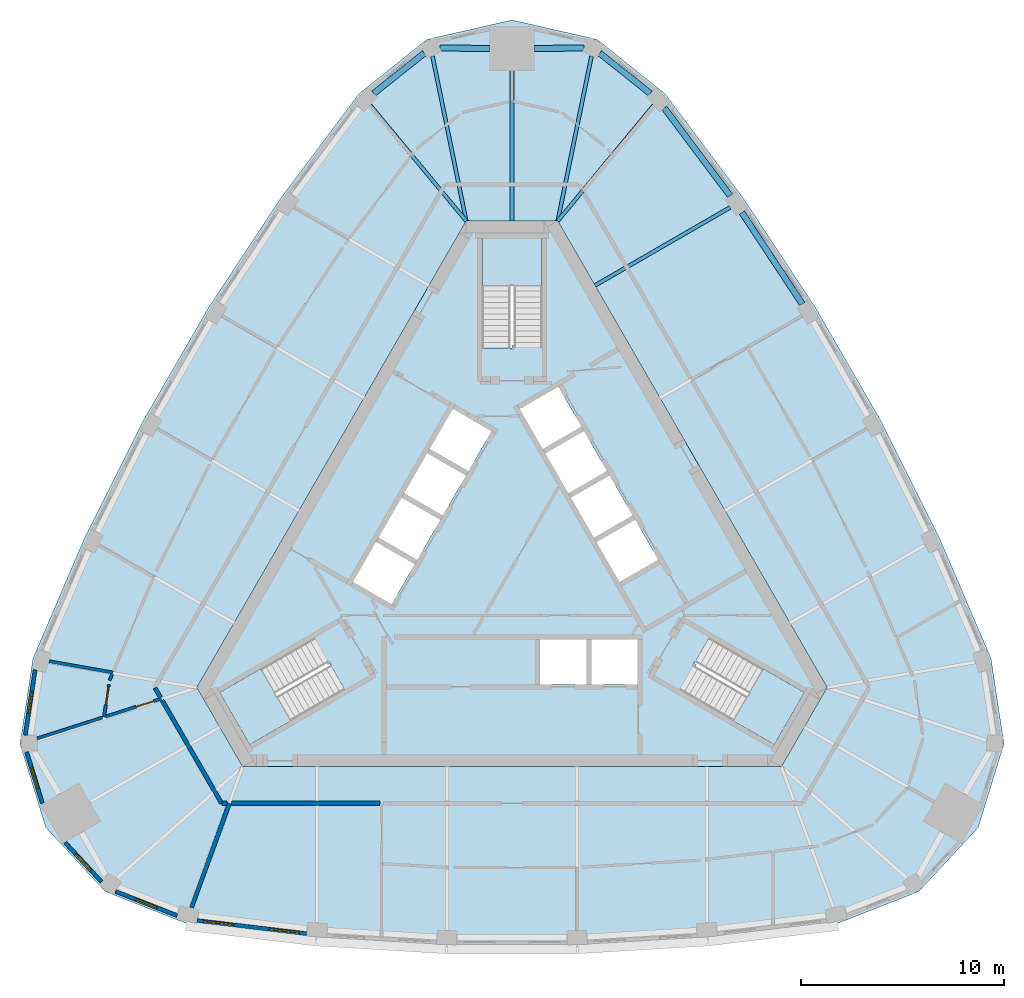
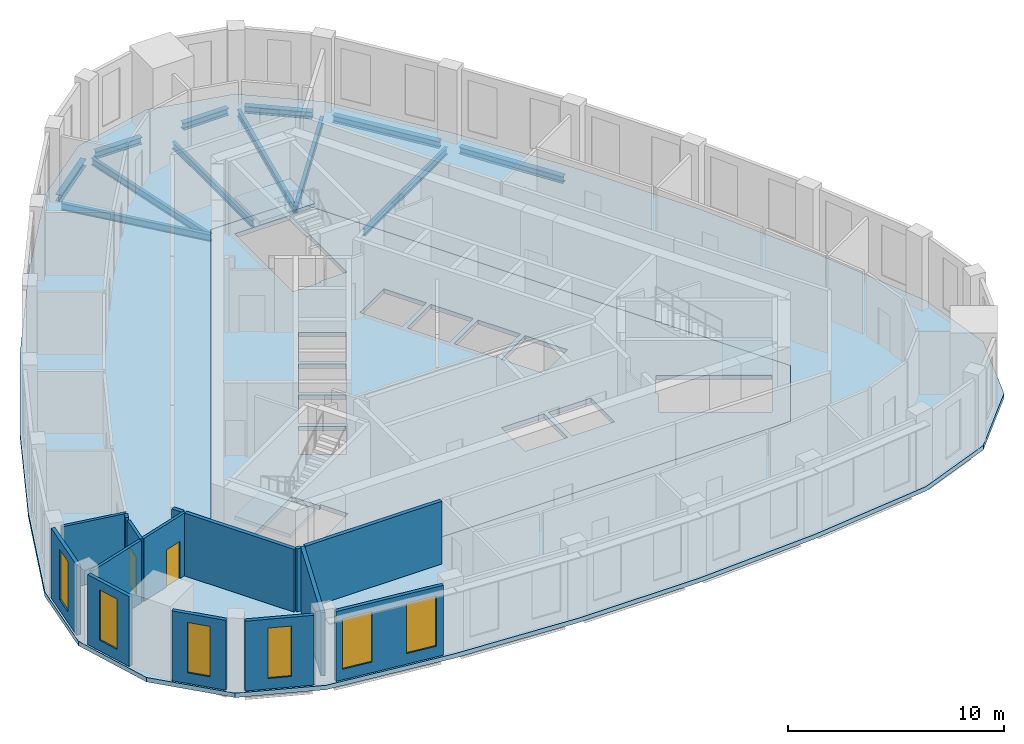
# One storey, part 2 of 10: 15 walls, 12 beams, 6 windows, 5 slabs, 2 doors, 8 openings, 3 elements without a shape of their own.
"""IFC4 building model written with IfcOpenShell, lengths in metres."""

from ifc_helpers import new_model, si_unit, direction, frame, frame_2d, origin, origin_2d, place, context, subcontext, project, spatial, polyline, rectangle, i_section, outline, extrude, material, layer, layer_set, material_profile, profile_set, type_object, element, fill, aggregate, save


model = new_model("IFC4")

# Units and contexts
model_context = context("Model", 3, precision=1e-05, world=origin(), true_north=direction((0.0, 1.0)))
body_context = subcontext(model_context, "Body", "Model", "MODEL_VIEW")
ifc_project = project(units=[si_unit("LENGTHUNIT", "METRE"), si_unit("AREAUNIT", "SQUARE_METRE"), si_unit("VOLUMEUNIT", "CUBIC_METRE"), si_unit("PLANEANGLEUNIT", "RADIAN"), si_unit("MASSUNIT", "GRAM", prefix="KILO")], contexts=[model_context])

# Site, building, storey
site_placement = place(None, origin())
site = spatial("IfcSite", under=ifc_project, at=site_placement, CompositionType="ELEMENT")
building_placement = place(site_placement, origin())
building = spatial("IfcBuilding", under=site, at=building_placement, Name="Mestral Congress Tower", CompositionType="ELEMENT")
storey_placement = place(building_placement, frame((0.0, 0.0, 288.0)))
storey = spatial("IfcBuildingStorey", under=building, at=storey_placement, Name="L67", CompositionType="ELEMENT", Elevation=288.0)

# Beams
ifc_material_1 = material(Name="Steel S355", Category="steel")
ifc_material_profile_1 = material_profile(ifc_material_1, i_section(OverallWidth=0.179931640625, OverallDepth=0.39990234375, WebThickness=0.008544921875, FlangeThickness=0.013427734375, FilletRadius=0.02099609375, at=origin_2d()), Name="IPE 400")
ifc_profile_set_1 = profile_set([ifc_material_profile_1], Name="Steel S355")
beam_type_1 = type_object("IfcBeamType", Name="Floor beam IPE 400 S355", PredefinedType="BEAM", material=ifc_profile_set_1)
beam_1_placement = place(storey_placement, frame((10.7275390625, 17.263916015625, -0.449951171875), z_axis=(-0.866019720907, -0.500009842903, 0.0), x_axis=(0.500009842903, -0.866019720907, 0.0)))
element("IfcBeam", 1, at=beam_1_placement, inside=storey, type_object=beam_type_1, Name="BM-L67-RB5-E04", PredefinedType="BEAM", context=body_context, shape_type="SweptSolid", body=[
    extrude(i_section(OverallWidth=0.179931640625, OverallDepth=0.39990234375, WebThickness=0.008544921875, FlangeThickness=0.013427734375, FilletRadius=0.02099609375, at=origin_2d()), origin(), (0.0, 0.0, 1.0), 7.672119140625),
])
beam_2_placement = place(storey_placement, frame((6.969970703125, 22.2890625, -0.449951171875), z_axis=(-0.638382651591, -0.769719163168, 0.0), x_axis=(0.769719163168, -0.638382651591, 0.0)))
element("IfcBeam", 2, at=beam_2_placement, inside=storey, type_object=beam_type_1, Name="BM-L67-RB5-E05", PredefinedType="BEAM", context=body_context, shape_type="SweptSolid", body=[
    extrude(i_section(OverallWidth=0.179931640625, OverallDepth=0.39990234375, WebThickness=0.008544921875, FlangeThickness=0.013427734375, FilletRadius=0.02099609375, at=origin_2d()), origin(), (0.0, 0.0, 1.0), 7.390869140625),
])
beam_3_placement = place(storey_placement, frame((3.910888671875, 24.7119140625, -0.449951171875), z_axis=(-0.200389803804, -0.979716247967, 0.0), x_axis=(0.979716247967, -0.200389803804, 0.0)))
element("IfcBeam", 3, at=beam_3_placement, inside=storey, type_object=beam_type_1, Name="BM-L67-RB5-N1", PredefinedType="BEAM", context=body_context, shape_type="SweptSolid", body=[
    extrude(i_section(OverallWidth=0.179931640625, OverallDepth=0.39990234375, WebThickness=0.008544921875, FlangeThickness=0.013427734375, FilletRadius=0.02099609375, at=origin_2d()), origin(), (0.0, 0.0, 1.0), 8.27978515625),
])
beam_4_placement = place(storey_placement, frame((0.0, 23.97802734375, -0.449951171875), z_axis=(0.0, -1.0, 0.0), x_axis=(1.0, 0.0, 0.0)))
element("IfcBeam", 4, at=beam_4_placement, inside=storey, type_object=beam_type_1, Name="BM-L67-RB5-N", PredefinedType="BEAM", context=body_context, shape_type="SweptSolid", body=[
    extrude(i_section(OverallWidth=0.179931640625, OverallDepth=0.39990234375, WebThickness=0.008544921875, FlangeThickness=0.013427734375, FilletRadius=0.02099609375, at=origin_2d()), origin(), (0.0, 0.0, 1.0), 7.3779296875),
])
beam_5_placement = place(storey_placement, frame((-3.910888671875, 24.7119140625, -0.449951171875), z_axis=(0.200389803804, -0.979716247967, 0.0), x_axis=(0.979716247967, 0.200389803804, 0.0)))
element("IfcBeam", 5, at=beam_5_placement, inside=storey, type_object=beam_type_1, Name="BM-L67-RB5-N3", PredefinedType="BEAM", context=body_context, shape_type="SweptSolid", body=[
    extrude(i_section(OverallWidth=0.179931640625, OverallDepth=0.39990234375, WebThickness=0.008544921875, FlangeThickness=0.013427734375, FilletRadius=0.02099609375, at=origin_2d()), origin(), (0.0, 0.0, 1.0), 8.27978515625),
])
beam_6_placement = place(storey_placement, frame((-6.969970703125, 22.2890625, -0.449951171875), z_axis=(0.638382651591, -0.769719163168, 0.0), x_axis=(0.769719163168, 0.638382651591, 0.0)))
element("IfcBeam", 6, at=beam_6_placement, inside=storey, type_object=beam_type_1, Name="BM-L67-RB5-W00", PredefinedType="BEAM", context=body_context, shape_type="SweptSolid", body=[
    extrude(i_section(OverallWidth=0.179931640625, OverallDepth=0.39990234375, WebThickness=0.008544921875, FlangeThickness=0.013427734375, FilletRadius=0.02099609375, at=origin_2d()), origin(), (0.0, 0.0, 1.0), 7.390869140625),
])
ifc_material_profile_2 = material_profile(ifc_material_1, i_section(OverallWidth=0.300048828125, OverallDepth=0.389892578125, WebThickness=0.010986328125, FlangeThickness=0.01904296875, FilletRadius=0.027099609375, at=origin_2d()), Name="HEA 400")
ifc_profile_set_2 = profile_set([ifc_material_profile_2], Name="Steel S355")
beam_type_2 = type_object("IfcBeamType", Name="Spandrel beam HEA 400 S355", PredefinedType="BEAM", material=ifc_profile_set_2)
beam_7_placement = place(storey_placement, frame((14.280517578125, 12.51611328125, -0.445068359375), z_axis=(-0.550748957655, 0.83467094453, 0.0), x_axis=(-0.83467094453, -0.550748957655, 0.0)))
element("IfcBeam", 7, at=beam_7_placement, inside=storey, type_object=beam_type_2, Name="SP-L67-SB5-E03", PredefinedType="BEAM", context=body_context, shape_type="SweptSolid", body=[
    extrude(i_section(OverallWidth=0.300048828125, OverallDepth=0.389892578125, WebThickness=0.010986328125, FlangeThickness=0.01904296875, FilletRadius=0.027099609375, at=origin_2d()), origin(), (0.0, 0.0, 1.0), 5.3984375),
])
beam_8_placement = place(storey_placement, frame((10.73193359375, 17.83984375, -0.445068359375), z_axis=(-0.599529393236, 0.800352738888, 0.0), x_axis=(-0.800352738888, -0.599529393236, 0.0)))
element("IfcBeam", 8, at=beam_8_placement, inside=storey, type_object=beam_type_2, Name="SP-L67-SB5-E04", PredefinedType="BEAM", context=body_context, shape_type="SweptSolid", body=[
    extrude(i_section(OverallWidth=0.300048828125, OverallDepth=0.389892578125, WebThickness=0.010986328125, FlangeThickness=0.01904296875, FilletRadius=0.027099609375, at=origin_2d()), origin(), (0.0, 0.0, 1.0), 5.396484375),
])
beam_9_placement = place(storey_placement, frame((6.7998046875, 22.876708984375, -0.445068359375), z_axis=(-0.781647188603, 0.623720829016, 0.0), x_axis=(-0.623720829016, -0.781647188603, 0.0)))
element("IfcBeam", 9, at=beam_9_placement, inside=storey, type_object=beam_type_2, Name="SP-L67-SB5-E05", PredefinedType="BEAM", context=body_context, shape_type="SweptSolid", body=[
    extrude(i_section(OverallWidth=0.300048828125, OverallDepth=0.389892578125, WebThickness=0.010986328125, FlangeThickness=0.01904296875, FilletRadius=0.027099609375, at=origin_2d()), origin(), (0.0, 0.0, 1.0), 3.179931640625),
])
for number, where, z_axis, x_axis, name in (
    (10, (3.54736328125, 25.11181640625, -0.445068359375), (-0.999955093848, -0.009476829002, 0.0), (0.009476829002, -0.999955093848, 0.0), "SP-L67-SB5-N1"),
    (11, (-1.10009765625, 25.088623046875, -0.445068359375), (-0.999955093848, 0.009476829002, 0.0), (-0.009476829002, -0.999955093848, 0.0), "SP-L67-SB5-N"),
):
    element("IfcBeam", number, at=place(storey_placement, frame(where, z_axis=z_axis, x_axis=x_axis)), inside=storey, type_object=beam_type_2, Name=name, PredefinedType="BEAM", context=body_context, shape_type="SweptSolid", body=[
        extrude(i_section(OverallWidth=0.300048828125, OverallDepth=0.389892578125, WebThickness=0.010986328125, FlangeThickness=0.01904296875, FilletRadius=0.027099609375, at=origin_2d()), origin(), (0.0, 0.0, 1.0), 2.447265625),
    ])
beam_10_placement = place(storey_placement, frame((-4.314208984375, 24.860107421875, -0.445068359375), z_axis=(-0.781647188603, -0.623720829016, 0.0), x_axis=(0.623720829016, -0.781647188603, 0.0)))
element("IfcBeam", 12, at=beam_10_placement, inside=storey, type_object=beam_type_2, Name="SP-L67-SB5-N3", PredefinedType="BEAM", context=body_context, shape_type="SweptSolid", body=[
    extrude(i_section(OverallWidth=0.300048828125, OverallDepth=0.389892578125, WebThickness=0.010986328125, FlangeThickness=0.01904296875, FilletRadius=0.027099609375, at=origin_2d()), origin(), (0.0, 0.0, 1.0), 3.179931640625),
])

# Slabs
ifc_material_2 = material(Name="Concrete C35/45", Category="concrete")
ifc_layer_1 = layer(ifc_material_2, 0.25)
ifc_layer_set_1 = layer_set([ifc_layer_1], Name="Concrete C35/45")
slab_type_1 = type_object("IfcSlabType", Name="Composite floor slab 250", PredefinedType="FLOOR", material=ifc_layer_set_1)
placement_1 = place(storey_placement, frame((0.0, 0.0, -0.25)))
element("IfcSlab", 13, at=placement_1, inside=storey, type_object=slab_type_1, Name="SL-L67", PredefinedType="FLOOR", context=body_context, shape_type="SweptSolid", body=[
    extrude(outline(polyline([(-16.051513671875, -17.951904296875), (-20.014404296875, -16.39794921875), (-22.940673828125, -13.244873046875), (-24.208251953125, -9.1337890625), (-23.572509765625, -4.925048828125), (-21.027587890625, 1.0234375), (-18.152099609375, 6.77001953125), (-14.939208984375, 12.335205078125), (-11.400146484375, 17.698486328125), (-7.52099609375, 22.876953125), (-4.19384765625, 25.531982421875), (0.0, 26.48974609375), (4.19384765625, 25.531982421875), (7.52099609375, 22.876953125), (11.400146484375, 17.698486328125), (14.939208984375, 12.335205078125), (18.152099609375, 6.77001953125), (21.027587890625, 1.0234375), (23.572509765625, -4.925048828125), (24.208251953125, -9.1337890625), (22.940673828125, -13.244873046875), (20.014404296875, -16.39794921875), (16.051513671875, -17.951904296875), (9.62744140625, -18.72216796875), (3.212890625, -19.105224609375), (-3.212890625, -19.105224609375), (-9.62744140625, -18.72216796875), (-16.051513671875, -17.951904296875)]), holes=[polyline([(-2.251708984375, 16.60009765625), (-15.501953125, -6.35009765625), (-13.250244140625, -10.25), (13.250244140625, -10.25), (15.501953125, -6.35009765625), (2.251708984375, 16.60009765625), (-2.251708984375, 16.60009765625)])]), origin(), (0.0, 0.0, 1.0), 0.25),
])
ifc_material_3 = material(Name="Concrete C60/75", Category="concrete")
ifc_layer_2 = layer(ifc_material_3, 0.25)
ifc_layer_set_2 = layer_set([ifc_layer_2], Name="Concrete C60/75")
slab_type_2 = type_object("IfcSlabType", Name="Core floor slab RC 250", PredefinedType="FLOOR", material=ifc_layer_set_2)
element("IfcSlab", 14, at=placement_1, inside=storey, type_object=slab_type_2, Name="L67 core floor", PredefinedType="FLOOR", context=body_context, shape_type="SweptSolid", body=[
    extrude(outline(polyline([(13.250244140625, -10.25), (-13.250244140625, -10.25), (-15.501953125, -6.35009765625), (-2.251708984375, 16.60009765625), (2.251708984375, 16.60009765625), (15.501953125, -6.35009765625), (13.250244140625, -10.25)]), holes=[polyline([(-14.37744140625, -6.59765625), (-12.90234375, -9.15234375), (-8.234619140625, -6.45751953125), (-8.971923828125, -5.179931640625), (-9.0673828125, -5.235107421875), (-9.8046875, -3.95751953125), (-14.37744140625, -6.59765625)]), polyline([(-5.921630859375, -2.256591796875), (-4.78662109375, -0.29052734375), (-6.69189453125, 0.809326171875), (-7.826904296875, -1.156494140625), (-5.921630859375, -2.256591796875)]), polyline([(-4.66162109375, -0.07421875), (-3.526611328125, 1.8916015625), (-5.431884765625, 2.99169921875), (-6.56689453125, 1.02587890625), (-4.66162109375, -0.07421875)]), polyline([(-2.2666015625, 4.07421875), (-4.171875, 5.174072265625), (-5.306884765625, 3.208251953125), (-3.401611328125, 2.1083984375), (-2.2666015625, 4.07421875)]), polyline([(-2.1416015625, 4.29052734375), (-1.006591796875, 6.256591796875), (-2.911865234375, 7.3564453125), (-4.046875, 5.390625), (-2.1416015625, 4.29052734375)]), polyline([(0.376708984375, 7.34765625), (1.51171875, 5.3818359375), (3.4169921875, 6.481689453125), (2.281982421875, 8.44775390625), (0.376708984375, 7.34765625)]), polyline([(1.47509765625, 15.75), (-1.47509765625, 15.75), (-1.47509765625, 10.360107421875), (0.0, 10.360107421875), (0.0, 10.469970703125), (1.47509765625, 10.469970703125), (1.47509765625, 15.75)]), polyline([(8.329833984375, -6.512451171875), (12.90234375, -9.15234375), (14.37744140625, -6.59765625), (9.70947265625, -3.902587890625), (8.971923828125, -5.179931640625), (9.0673828125, -5.235107421875), (8.329833984375, -6.512451171875)]), polyline([(3.655029296875, -4.0), (1.385009765625, -4.0), (1.385009765625, -6.199951171875), (3.655029296875, -6.199951171875), (3.655029296875, -4.0)]), polyline([(6.175048828125, -4.0), (3.905029296875, -4.0), (3.905029296875, -6.199951171875), (6.175048828125, -6.199951171875), (6.175048828125, -4.0)]), polyline([(4.156494140625, 0.800537109375), (5.29150390625, -1.165283203125), (7.197021484375, -0.065185546875), (6.06201171875, 1.900634765625), (4.156494140625, 0.800537109375)]), polyline([(2.896484375, 2.98291015625), (4.031494140625, 1.01708984375), (5.93701171875, 2.1171875), (4.802001953125, 4.0830078125), (2.896484375, 2.98291015625)]), polyline([(1.63671875, 5.165283203125), (2.771484375, 3.199462890625), (4.677001953125, 4.29931640625), (3.5419921875, 6.265380859375), (1.63671875, 5.165283203125)])]), origin(), (0.0, 0.0, 1.0), 0.25),
])

# Stair, slab
stair_type = type_object("IfcStairType", Name="Exit stair 1400", PredefinedType="HALF_TURN_STAIR", material=ifc_material_3)
placement_2 = place(storey_placement, origin())
stair_1 = element("IfcStair", 15, at=placement_2, inside=storey, type_object=stair_type, Name="L67 ST1", PredefinedType="HALF_TURN_STAIR")
ifc_layer_3 = layer(ifc_material_3, 0.199951171875)
ifc_layer_set_3 = layer_set([ifc_layer_3], Name="Concrete C60/75")
slab_type_3 = type_object("IfcSlabType", Name="Exit stair landing 200", PredefinedType="LANDING", material=ifc_layer_set_3)
placement_3 = place(storey_placement, frame((0.0, 0.0, 1.89990234375)))
slab_3 = element("IfcSlab", 16, at=placement_3, type_object=slab_type_3, Name="ST1 landing 1", PredefinedType="LANDING", context=body_context, shape_type="SweptSolid", body=[
    extrude(outline(polyline([(10.879638671875, -7.99609375), (12.364501953125, -5.424072265625), (14.39111328125, -6.593994140625), (12.906005859375, -9.166015625), (10.879638671875, -7.99609375)])), origin(), (0.0, 0.0, 1.0), 0.2001953125),
])
aggregate(stair_1, [slab_3])

stair_2 = element("IfcStair", 17, at=placement_2, inside=storey, type_object=stair_type, Name="L67 ST2", PredefinedType="HALF_TURN_STAIR")
slab_4 = element("IfcSlab", 18, at=placement_3, type_object=slab_type_3, Name="ST2 landing 1", PredefinedType="LANDING", context=body_context, shape_type="SweptSolid", body=[
    extrude(outline(polyline([(1.485107421875, 13.419921875), (-1.485107421875, 13.419921875), (-1.485107421875, 15.760009765625), (1.485107421875, 15.760009765625), (1.485107421875, 13.419921875)])), origin(), (0.0, 0.0, 1.0), 0.2001953125),
])
aggregate(stair_2, [slab_4])

stair_3 = element("IfcStair", 19, at=placement_2, inside=storey, type_object=stair_type, Name="L67 ST3", PredefinedType="HALF_TURN_STAIR")
slab_5 = element("IfcSlab", 20, at=placement_3, type_object=slab_type_3, Name="ST3 landing 1", PredefinedType="LANDING", context=body_context, shape_type="SweptSolid", body=[
    extrude(outline(polyline([(-12.364501953125, -5.424072265625), (-10.879638671875, -7.99609375), (-12.906005859375, -9.166015625), (-14.39111328125, -6.593994140625), (-12.364501953125, -5.424072265625)])), origin(), (0.0, 0.0, 1.0), 0.2001953125),
])
aggregate(stair_3, [slab_5])

# Wall, openings, windows
ifc_material_4 = material(Name="Precast concrete C40/50 with limestone facing", Category="masonry")
ifc_layer_4 = layer(ifc_material_4, 0.18994140625)
ifc_layer_set_4 = layer_set([ifc_layer_4], Name="Precast concrete C40/50 with limestone facing")
wall_type_1 = type_object("IfcWallType", Name="Facade stone wall 190", PredefinedType="SOLIDWALL", material=ifc_layer_set_4)
wall_1_placement = place(storey_placement, frame((-15.487060546875, -17.822998046875, 0.0), z_axis=(0.0, 0.0, 1.0), x_axis=(0.992885582795, -0.119072328769, 0.0)))
wall_1 = element("IfcWall", 21, at=wall_1_placement, inside=storey, type_object=wall_type_1, Name="Facade wall F0-00", PredefinedType="SOLIDWALL", context=body_context, shape_type="SweptSolid", body=[
    extrude(rectangle(XDim=5.4150390625, YDim=0.18994140625, at=frame_2d((2.70751953125, 0.0))), origin(), (0.0, 0.0, 1.0), 3.949951171875),
])
opening_1_placement = place(wall_1_placement, frame((0.322509765625, 0.0, 0.60009765625)))
opening_1 = element("IfcOpeningElement", 22, at=opening_1_placement, cuts=wall_1, Name="Opening W6", PredefinedType="OPENING", context=body_context, shape_type="SweptSolid", body=[
    extrude(rectangle(XDim=1.5, YDim=2.85009765625, at=frame_2d((0.75, 1.425048828125))), frame((0.0, 0.10498046875, 0.0), z_axis=(0.0, -1.0, 0.0), x_axis=(1.0, 0.0, 0.0)), (0.0, 0.0, 1.0), 0.2099609375),
])
opening_2_placement = place(wall_1_placement, frame((3.5576171875, 0.0, 0.60009765625)))
opening_2 = element("IfcOpeningElement", 23, at=opening_2_placement, cuts=wall_1, Name="Opening W6", PredefinedType="OPENING", context=body_context, shape_type="SweptSolid", body=[
    extrude(rectangle(XDim=1.5, YDim=2.85009765625, at=frame_2d((0.75, 1.425048828125))), frame((0.0, 0.10498046875, 0.0), z_axis=(0.0, -1.0, 0.0), x_axis=(1.0, 0.0, 0.0)), (0.0, 0.0, 1.0), 0.2099609375),
])
ifc_material_5 = material(Name="Clear low-emissivity double glazing", Category="glass")
window_type_1 = type_object("IfcWindowType", Name="Facade punched window 1500 x 2850 sill 600", PartitioningType="SINGLE_PANEL", PredefinedType="WINDOW", material=ifc_material_5)
window_1_placement = place(opening_1_placement, origin())
window_1 = element("IfcWindow", 24, at=window_1_placement, inside=storey, type_object=window_type_1, Name="Window F0-00a", OverallHeight=2.85009765625, OverallWidth=1.5, PartitioningType="SINGLE_PANEL", PredefinedType="WINDOW", context=body_context, shape_type="SweptSolid", body=[
    extrude(rectangle(XDim=1.5, YDim=2.85009765625, at=frame_2d((0.75, 1.425048828125))), frame((0.0, 0.044921875, 0.0), z_axis=(0.0, -1.0, 0.0), x_axis=(1.0, 0.0, 0.0)), (0.0, 0.0, 1.0), 0.06005859375),
])
fill(opening_1, window_1)
window_2_placement = place(opening_2_placement, origin())
window_2 = element("IfcWindow", 25, at=window_2_placement, inside=storey, type_object=window_type_1, Name="Window F0-00b", OverallHeight=2.85009765625, OverallWidth=1.5, PartitioningType="SINGLE_PANEL", PredefinedType="WINDOW", context=body_context, shape_type="SweptSolid", body=[
    extrude(rectangle(XDim=1.5, YDim=2.85009765625, at=frame_2d((0.75, 1.425048828125))), frame((0.0, 0.044921875, 0.0), z_axis=(0.0, -1.0, 0.0), x_axis=(1.0, 0.0, 0.0)), (0.0, 0.0, 1.0), 0.06005859375),
])
fill(opening_2, window_2)

# Wall, opening, window
wall_2_placement = place(storey_placement, frame((-23.460205078125, -5.488037109375, 0.0), z_axis=(0.0, 0.0, 1.0), x_axis=(-0.149421055602, -0.988773658702, 0.0)))
wall_2 = element("IfcWall", 26, at=wall_2_placement, inside=storey, type_object=wall_type_1, Name="Facade wall K2-0", PredefinedType="SOLIDWALL", context=body_context, shape_type="SweptSolid", body=[
    extrude(rectangle(XDim=3.23681640625, YDim=0.18994140625, at=frame_2d((1.618408203125, 0.0))), origin(), (0.0, 0.0, 1.0), 3.949951171875),
])
opening_3_placement = place(wall_2_placement, frame((1.068359375, 0.0, 0.60009765625)))
opening_3 = element("IfcOpeningElement", 27, at=opening_3_placement, cuts=wall_2, Name="Opening W7", PredefinedType="OPENING", context=body_context, shape_type="SweptSolid", body=[
    extrude(rectangle(XDim=1.10009765625, YDim=2.85009765625, at=frame_2d((0.550048828125, 1.425048828125))), frame((0.0, 0.10498046875, 0.0), z_axis=(0.0, -1.0, 0.0), x_axis=(1.0, 0.0, 0.0)), (0.0, 0.0, 1.0), 0.2099609375),
])
window_type_2 = type_object("IfcWindowType", Name="Facade punched window 1100 x 2850 sill 600", PartitioningType="SINGLE_PANEL", PredefinedType="WINDOW", material=ifc_material_5)
window_3_placement = place(opening_3_placement, origin())
window_3 = element("IfcWindow", 28, at=window_3_placement, inside=storey, type_object=window_type_2, Name="Window K2-0", OverallHeight=2.85009765625, OverallWidth=1.10009765625, PartitioningType="SINGLE_PANEL", PredefinedType="WINDOW", context=body_context, shape_type="SweptSolid", body=[
    extrude(rectangle(XDim=1.10009765625, YDim=2.85009765625, at=frame_2d((0.550048828125, 1.425048828125))), frame((0.0, 0.044921875, 0.0), z_axis=(0.0, -1.0, 0.0), x_axis=(1.0, 0.0, 0.0)), (0.0, 0.0, 1.0), 0.06005859375),
])
fill(opening_3, window_3)

wall_3_placement = place(storey_placement, frame((-23.880615234375, -9.53515625, 0.0), z_axis=(0.0, 0.0, 1.0), x_axis=(0.294706210429, -0.9555879078, 0.0)))
wall_3 = element("IfcWall", 29, at=wall_3_placement, inside=storey, type_object=wall_type_1, Name="Facade wall K2-1", PredefinedType="SOLIDWALL", context=body_context, shape_type="SweptSolid", body=[
    extrude(rectangle(XDim=2.626953125, YDim=0.18994140625, at=frame_2d((1.3134765625, 0.0))), origin(), (0.0, 0.0, 1.0), 3.949951171875),
])
opening_4_placement = place(wall_3_placement, frame((0.763427734375, 0.0, 0.60009765625)))
opening_4 = element("IfcOpeningElement", 30, at=opening_4_placement, cuts=wall_3, Name="Opening W7", PredefinedType="OPENING", context=body_context, shape_type="SweptSolid", body=[
    extrude(rectangle(XDim=1.10009765625, YDim=2.85009765625, at=frame_2d((0.550048828125, 1.425048828125))), frame((0.0, 0.10498046875, 0.0), z_axis=(0.0, -1.0, 0.0), x_axis=(1.0, 0.0, 0.0)), (0.0, 0.0, 1.0), 0.2099609375),
])
window_4_placement = place(opening_4_placement, origin())
window_4 = element("IfcWindow", 31, at=window_4_placement, inside=storey, type_object=window_type_2, Name="Window K2-1", OverallHeight=2.85009765625, OverallWidth=1.10009765625, PartitioningType="SINGLE_PANEL", PredefinedType="WINDOW", context=body_context, shape_type="SweptSolid", body=[
    extrude(rectangle(XDim=1.10009765625, YDim=2.85009765625, at=frame_2d((0.550048828125, 1.425048828125))), frame((0.0, 0.044921875, 0.0), z_axis=(0.0, -1.0, 0.0), x_axis=(1.0, 0.0, 0.0)), (0.0, 0.0, 1.0), 0.06005859375),
])
fill(opening_4, window_4)

wall_4_placement = place(storey_placement, frame((-21.98486328125, -13.988037109375, 0.0), z_axis=(0.0, 0.0, 1.0), x_axis=(0.680219354823, -0.733008614768, 0.0)))
wall_4 = element("IfcWall", 32, at=wall_4_placement, inside=storey, type_object=wall_type_1, Name="Facade wall K2-2", PredefinedType="SOLIDWALL", context=body_context, shape_type="SweptSolid", body=[
    extrude(rectangle(XDim=2.626953125, YDim=0.18994140625, at=frame_2d((1.3134765625, 0.0))), origin(), (0.0, 0.0, 1.0), 3.949951171875),
])
opening_5_placement = place(wall_4_placement, frame((0.763427734375, 0.0, 0.60009765625)))
opening_5 = element("IfcOpeningElement", 33, at=opening_5_placement, cuts=wall_4, Name="Opening W7", PredefinedType="OPENING", context=body_context, shape_type="SweptSolid", body=[
    extrude(rectangle(XDim=1.10009765625, YDim=2.85009765625, at=frame_2d((0.550048828125, 1.425048828125))), frame((0.0, 0.10498046875, 0.0), z_axis=(0.0, -1.0, 0.0), x_axis=(1.0, 0.0, 0.0)), (0.0, 0.0, 1.0), 0.2099609375),
])
window_5_placement = place(opening_5_placement, origin())
window_5 = element("IfcWindow", 34, at=window_5_placement, inside=storey, type_object=window_type_2, Name="Window K2-2", OverallHeight=2.85009765625, OverallWidth=1.10009765625, PartitioningType="SINGLE_PANEL", PredefinedType="WINDOW", context=body_context, shape_type="SweptSolid", body=[
    extrude(rectangle(XDim=1.10009765625, YDim=2.85009765625, at=frame_2d((0.550048828125, 1.425048828125))), frame((0.0, 0.044921875, 0.0), z_axis=(0.0, -1.0, 0.0), x_axis=(1.0, 0.0, 0.0)), (0.0, 0.0, 1.0), 0.06005859375),
])
fill(opening_5, window_5)

wall_5_placement = place(storey_placement, frame((-19.496337890625, -16.3916015625, 0.0), z_axis=(0.0, 0.0, 1.0), x_axis=(0.93100888477, -0.364996515709, 0.0)))
wall_5 = element("IfcWall", 35, at=wall_5_placement, inside=storey, type_object=wall_type_1, Name="Facade wall K2-3", PredefinedType="SOLIDWALL", context=body_context, shape_type="SweptSolid", body=[
    extrude(rectangle(XDim=3.23681640625, YDim=0.18994140625, at=frame_2d((1.618408203125, 0.0))), origin(), (0.0, 0.0, 1.0), 3.949951171875),
])
opening_6_placement = place(wall_5_placement, frame((1.068359375, 0.0, 0.60009765625)))
opening_6 = element("IfcOpeningElement", 36, at=opening_6_placement, cuts=wall_5, Name="Opening W7", PredefinedType="OPENING", context=body_context, shape_type="SweptSolid", body=[
    extrude(rectangle(XDim=1.10009765625, YDim=2.85009765625, at=frame_2d((0.550048828125, 1.425048828125))), frame((0.0, 0.10498046875, 0.0), z_axis=(0.0, -1.0, 0.0), x_axis=(1.0, 0.0, 0.0)), (0.0, 0.0, 1.0), 0.2099609375),
])
window_6_placement = place(opening_6_placement, origin())
window_6 = element("IfcWindow", 37, at=window_6_placement, inside=storey, type_object=window_type_2, Name="Window K2-3", OverallHeight=2.85009765625, OverallWidth=1.10009765625, PartitioningType="SINGLE_PANEL", PredefinedType="WINDOW", context=body_context, shape_type="SweptSolid", body=[
    extrude(rectangle(XDim=1.10009765625, YDim=2.85009765625, at=frame_2d((0.550048828125, 1.425048828125))), frame((0.0, 0.044921875, 0.0), z_axis=(0.0, -1.0, 0.0), x_axis=(1.0, 0.0, 0.0)), (0.0, 0.0, 1.0), 0.06005859375),
])
fill(opening_6, window_6)

# Walls
ifc_material_6 = material(Name="Plasterboard partition on steel studs", Category="steel")
ifc_layer_5 = layer(ifc_material_6, 0.14990234375)
ifc_layer_set_5 = layer_set([ifc_layer_5], Name="Plasterboard partition on steel studs")
wall_type_2 = type_object("IfcWallType", Name="Office partition 150", PredefinedType="PARTITIONING", material=ifc_layer_set_5)
wall_6_placement = place(storey_placement, frame((-19.638671875, -5.61962890625, 0.0), z_axis=(0.0, 0.0, 1.0), x_axis=(-0.984765028635, 0.173890305586, 0.0)))
element("IfcWall", 38, at=wall_6_placement, inside=storey, type_object=wall_type_2, Name="Partition", PredefinedType="PARTITIONING", context=body_context, shape_type="SweptSolid", body=[
    extrude(rectangle(XDim=3.184326171875, YDim=0.14990234375, at=frame_2d((1.59228515625, 0.0))), origin(), (0.0, 0.0, 1.0), 3.550048828125),
])
wall_7_placement = place(storey_placement, frame((-19.668701171875, -5.6904296875, 0.0), z_axis=(0.0, 0.0, 1.0), x_axis=(-0.393566769146, -0.919296034052, 0.0)))
element("IfcWall", 39, at=wall_7_placement, inside=storey, type_object=wall_type_2, Name="Partition", PredefinedType="PARTITIONING", context=body_context, shape_type="SweptSolid", body=[
    extrude(rectangle(XDim=0.33447265625, YDim=0.14990234375, at=frame_2d((0.167236328125, 0.0))), origin(), (0.0, 0.0, 1.0), 3.550048828125),
])

# Wall, opening, door
wall_8_placement = place(storey_placement, frame((-20.074462890625, -7.81201171875, 0.0), z_axis=(0.0, 0.0, 1.0), x_axis=(0.149305499664, 0.988791114326, 0.0)))
wall_8 = element("IfcWall", 40, at=wall_8_placement, inside=storey, type_object=wall_type_2, Name="Partition", PredefinedType="PARTITIONING", context=body_context, shape_type="SweptSolid", body=[
    extrude(rectangle(XDim=1.620361328125, YDim=0.14990234375, at=frame_2d((0.81005859375, 0.0))), origin(), (0.0, 0.0, 1.0), 3.550048828125),
])
opening_7_placement = place(wall_8_placement, frame((0.62060546875, 0.0, 0.0)))
opening_7 = element("IfcOpeningElement", 41, at=opening_7_placement, cuts=wall_8, Name="Opening O12-017", PredefinedType="OPENING", context=body_context, shape_type="SweptSolid", body=[
    extrude(rectangle(XDim=0.89990234375, YDim=2.10009765625, at=frame_2d((0.449951171875, 1.050048828125))), frame((0.0, 0.0849609375, 0.0), z_axis=(0.0, -1.0, 0.0), x_axis=(1.0, 0.0, 0.0)), (0.0, 0.0, 1.0), 0.169921875),
])
ifc_material_7 = material(Name="Timber door set", Category="wood")
door_type = type_object("IfcDoorType", Name="Office door 900x2100", OperationType="SINGLE_SWING_LEFT", PredefinedType="DOOR", material=ifc_material_7)
door_1_placement = place(opening_7_placement, origin())
door_1 = element("IfcDoor", 42, at=door_1_placement, inside=storey, type_object=door_type, Name="Door O12-017", OperationType="SINGLE_SWING_RIGHT", OverallHeight=2.10009765625, OverallWidth=0.89990234375, PredefinedType="DOOR", context=body_context, shape_type="SweptSolid", body=[
    extrude(rectangle(XDim=0.89990234375, YDim=2.10009765625, at=frame_2d((0.449951171875, 1.050048828125))), frame((0.0, 0.02490234375, 0.0), z_axis=(0.0, -1.0, 0.0), x_axis=(1.0, 0.0, 0.0)), (0.0, 0.0, 1.0), 0.050048828125),
])
fill(opening_7, door_1)

# Wall
wall_9_placement = place(storey_placement, frame((-20.154296875, -7.837646484375, 0.0), z_axis=(0.0, 0.0, 1.0), x_axis=(-0.952501497002, -0.304533903217, 0.0)))
element("IfcWall", 43, at=wall_9_placement, inside=storey, type_object=wall_type_2, Name="Partition", PredefinedType="PARTITIONING", context=body_context, shape_type="SweptSolid", body=[
    extrude(rectangle(XDim=3.370361328125, YDim=0.14990234375, at=frame_2d((1.68505859375, 0.0))), origin(), (0.0, 0.0, 1.0), 3.550048828125),
])

# Wall, opening, door
wall_10_placement = place(storey_placement, frame((-17.25634765625, -6.910888671875, 0.0), z_axis=(0.0, 0.0, 1.0), x_axis=(-0.95247639241, -0.304612412587, 0.0)))
wall_10 = element("IfcWall", 44, at=wall_10_placement, inside=storey, type_object=wall_type_2, Name="Partition", PredefinedType="PARTITIONING", context=body_context, shape_type="SweptSolid", body=[
    extrude(rectangle(XDim=2.875, YDim=0.14990234375, at=frame_2d((1.4375, 0.0))), origin(), (0.0, 0.0, 1.0), 3.550048828125),
])
opening_8_placement = place(wall_10_placement, frame((0.39990234375, 0.0, 0.0)))
opening_8 = element("IfcOpeningElement", 45, at=opening_8_placement, cuts=wall_10, Name="Opening O12-019", PredefinedType="OPENING", context=body_context, shape_type="SweptSolid", body=[
    extrude(rectangle(XDim=0.89990234375, YDim=2.10009765625, at=frame_2d((0.449951171875, 1.050048828125))), frame((0.0, 0.0849609375, 0.0), z_axis=(0.0, -1.0, 0.0), x_axis=(1.0, 0.0, 0.0)), (0.0, 0.0, 1.0), 0.169921875),
])
door_2_placement = place(opening_8_placement, origin())
door_2 = element("IfcDoor", 46, at=door_2_placement, inside=storey, type_object=door_type, Name="Door O12-019", OperationType="SINGLE_SWING_LEFT", OverallHeight=2.10009765625, OverallWidth=0.89990234375, PredefinedType="DOOR", context=body_context, shape_type="SweptSolid", body=[
    extrude(rectangle(XDim=0.89990234375, YDim=2.10009765625, at=frame_2d((0.449951171875, 1.050048828125))), frame((0.0, 0.02490234375, 0.0), z_axis=(0.0, -1.0, 0.0), x_axis=(1.0, 0.0, 0.0)), (0.0, 0.0, 1.0), 0.050048828125),
])
fill(opening_8, door_2)

# Walls
ifc_material_8 = material(Name="Dense masonry wall, plastered", Category="masonry")
ifc_layer_6 = layer(ifc_material_8, 0.199951171875)
ifc_layer_set_6 = layer_set([ifc_layer_6], Name="Dense masonry wall, plastered")
wall_type_3 = type_object("IfcWallType", Name="Office tenancy wall 200", PredefinedType="PARTITIONING", material=ifc_layer_set_6)
wall_11_placement = place(storey_placement, frame((-15.7744140625, -17.190185546875, 0.0), z_axis=(0.0, 0.0, 1.0), x_axis=(0.341821907823, 0.93976474893, 0.0)))
element("IfcWall", 47, at=wall_11_placement, inside=storey, type_object=wall_type_3, Name="Tenancy wall", PredefinedType="PARTITIONING", context=body_context, shape_type="SweptSolid", body=[
    extrude(rectangle(XDim=5.469482421875, YDim=0.199951171875, at=frame_2d((2.73486328125, 0.0))), origin(), (0.0, 0.0, 1.0), 3.550048828125),
])
wall_12_placement = place(storey_placement, frame((-13.798583984375, -12.050048828125, 0.0), z_axis=(0.0, 0.0, 1.0), x_axis=(1.0, 0.0, 0.0)))
element("IfcWall", 48, at=wall_12_placement, inside=storey, type_object=wall_type_3, Name="Tenancy wall", PredefinedType="PARTITIONING", context=body_context, shape_type="SweptSolid", body=[
    extrude(rectangle(XDim=7.303466796875, YDim=0.199951171875, at=frame_2d((3.65185546875, 0.0))), origin(), (0.0, 0.0, 1.0), 3.550048828125),
])
wall_13_placement = place(storey_placement, frame((-17.565185546875, -6.3759765625, 0.0), z_axis=(0.0, 0.0, 1.0), x_axis=(0.499683376352, -0.866208129376, 0.0)))
element("IfcWall", 49, at=wall_13_placement, inside=storey, type_object=wall_type_3, Name="Tenancy wall", PredefinedType="PARTITIONING", context=body_context, shape_type="SweptSolid", body=[
    extrude(rectangle(XDim=0.540771484375, YDim=0.199951171875, at=frame_2d((0.2705078125, 0.0))), origin(), (0.0, 0.0, 1.0), 3.550048828125),
])
wall_14_placement = place(storey_placement, frame((-17.218017578125, -6.9775390625, 0.0), z_axis=(0.0, 0.0, 1.0), x_axis=(0.500012299885, -0.866018302326, 0.0)))
element("IfcWall", 50, at=wall_14_placement, inside=storey, type_object=wall_type_3, Name="Tenancy wall", PredefinedType="PARTITIONING", context=body_context, shape_type="SweptSolid", body=[
    extrude(rectangle(XDim=5.857177734375, YDim=0.199951171875, at=frame_2d((2.9287109375, 0.0))), origin(), (0.0, 0.0, 1.0), 3.550048828125),
])
wall_15_placement = place(storey_placement, frame((-14.259521484375, -12.050048828125, 0.0), z_axis=(0.0, 0.0, 1.0), x_axis=(1.0, 0.0, 0.0)))
element("IfcWall", 51, at=wall_15_placement, inside=storey, type_object=wall_type_3, Name="Tenancy wall", PredefinedType="PARTITIONING", context=body_context, shape_type="SweptSolid", body=[
    extrude(rectangle(XDim=0.248291015625, YDim=0.199951171875, at=frame_2d((0.1240234375, 0.0))), origin(), (0.0, 0.0, 1.0), 3.550048828125),
])

save(model, "model.ifc")
